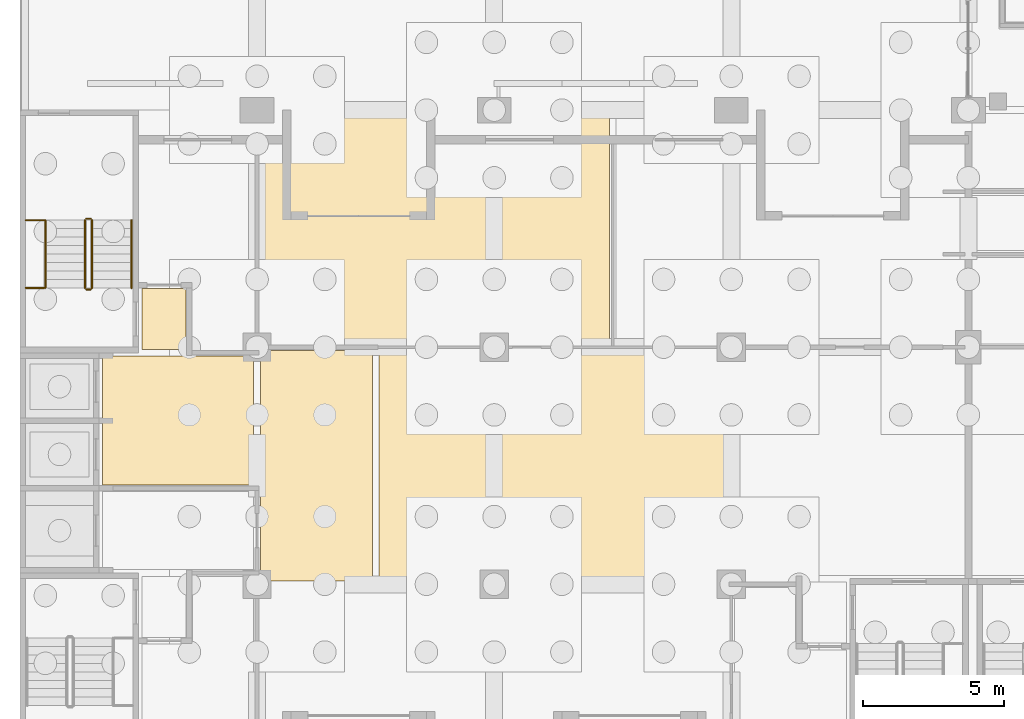
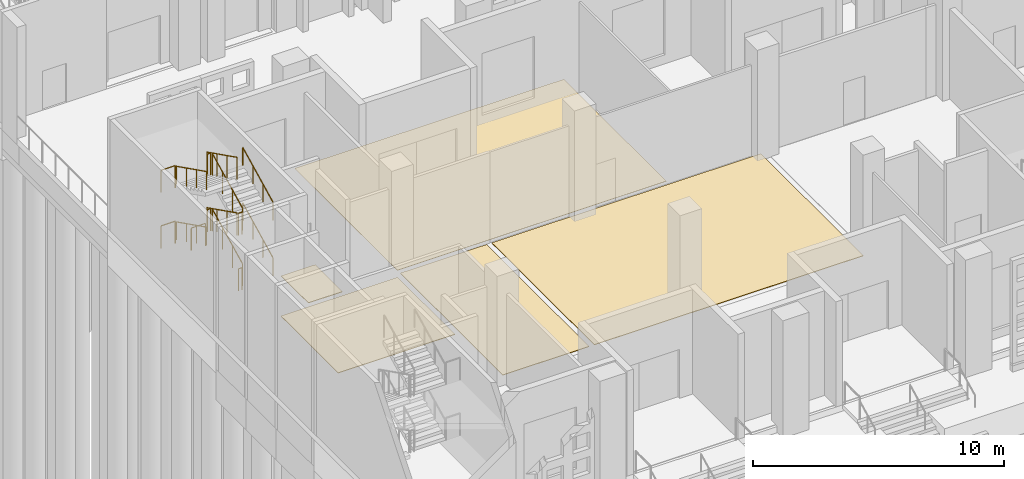
# One storey, part 103 of 129: 15 railings, 5 coverings.
"""IFC4 building model written with IfcOpenShell, lengths in metres."""

from ifc_helpers import new_model, si_unit, direction, frame, origin, origin_2d, place, context, subcontext, project, spatial, polyline, circle, outline, extrude, material, layer, layer_set, type_object, element, save


model = new_model("IFC4")

# Units and contexts
model_context = context("Model", 3, precision=1e-05, world=origin(), true_north=direction((0.0, 1.0)))
body_context = subcontext(model_context, "Body", "Model", "MODEL_VIEW")
ifc_project = project(units=[si_unit("LENGTHUNIT", "METRE"), si_unit("AREAUNIT", "SQUARE_METRE"), si_unit("VOLUMEUNIT", "CUBIC_METRE"), si_unit("PLANEANGLEUNIT", "RADIAN"), si_unit("MASSUNIT", "GRAM", prefix="KILO")], contexts=[model_context])

# Site, building, storey
site_placement = place(None, origin())
site = spatial("IfcSite", under=ifc_project, at=site_placement, CompositionType="ELEMENT")
building_placement = place(site_placement, origin())
building = spatial("IfcBuilding", under=site, at=building_placement, Name="Kiln Court Media Centre", CompositionType="ELEMENT")
storey_placement = place(building_placement, origin())
storey = spatial("IfcBuildingStorey", under=building, at=storey_placement, Name="L00", CompositionType="ELEMENT", Elevation=0.0)

# Coverings
ifc_material_1 = material(Name="Carpet tile")
ifc_layer_1 = layer(ifc_material_1, 0.014892578125)
ifc_layer_set_1 = layer_set([ifc_layer_1], Name="Carpet tile floor finish 15")
covering_type_1 = type_object("IfcCoveringType", Name="Carpet tile floor finish 15", PredefinedType="FLOORING", material=ifc_layer_set_1)
covering_1_placement = place(storey_placement, origin())
element("IfcCovering", 1, at=covering_1_placement, inside=storey, type_object=covering_type_1, Name="Community Media Room floor finish", PredefinedType="FLOORING", context=body_context, shape_type="SweptSolid", body=[
    extrude(outline(polyline([(8.52001953125, 16.919921875), (20.8798828125, 16.919921875), (20.8798828125, 25.080078125), (8.52001953125, 25.080078125), (8.52001953125, 16.919921875)])), origin(), (0.0, 0.0, 1.0), 0.014892578125),
])
ifc_material_2 = material(Name="Terrazzo")
ifc_layer_2 = layer(ifc_material_2, 0.02490234375)
ifc_layer_set_2 = layer_set([ifc_layer_2], Name="Polished terrazzo floor finish 25")
covering_type_2 = type_object("IfcCoveringType", Name="Polished terrazzo floor finish 25", PredefinedType="FLOORING", material=ifc_layer_set_2)
covering_2_placement = place(storey_placement, origin())
element("IfcCovering", 2, at=covering_2_placement, inside=storey, type_object=covering_type_2, Name="Library Reception floor finish", PredefinedType="FLOORING", context=body_context, shape_type="SweptSolid", body=[
    extrude(outline(polyline([(8.52001953125, 8.52001953125), (12.47998046875, 8.52001953125), (12.47998046875, 16.679931640625), (8.52001953125, 16.679931640625), (8.52001953125, 8.52001953125)])), origin(), (0.0, 0.0, 1.0), 0.02490234375),
])
covering_3_placement = place(storey_placement, origin())
element("IfcCovering", 3, at=covering_3_placement, inside=storey, type_object=covering_type_2, Name="Exhibition Hall floor finish", PredefinedType="FLOORING", context=body_context, shape_type="SweptSolid", body=[
    extrude(outline(polyline([(12.719970703125, 8.52001953125), (25.080078125, 8.52001953125), (25.080078125, 16.679931640625), (12.719970703125, 16.679931640625), (12.719970703125, 8.52001953125)])), origin(), (0.0, 0.0, 1.0), 0.02490234375),
])
covering_4_placement = place(storey_placement, origin())
element("IfcCovering", 4, at=covering_4_placement, inside=storey, type_object=covering_type_2, Name="Passenger Lift Lobby floor finish", PredefinedType="FLOORING", context=body_context, shape_type="SweptSolid", body=[
    extrude(outline(polyline([(2.919921875, 11.919921875), (8.280029296875, 11.919921875), (8.280029296875, 16.47998046875), (2.919921875, 16.47998046875), (2.919921875, 11.919921875)])), origin(), (0.0, 0.0, 1.0), 0.02490234375),
])
covering_5_placement = place(storey_placement, origin())
element("IfcCovering", 5, at=covering_5_placement, inside=storey, type_object=covering_type_2, Name="Stair 2 Vestibule floor finish", PredefinedType="FLOORING", context=body_context, shape_type="SweptSolid", body=[
    extrude(outline(polyline([(4.320068359375, 16.719970703125), (5.8798828125, 16.719970703125), (5.8798828125, 18.8798828125), (4.320068359375, 18.8798828125), (4.320068359375, 16.719970703125)])), origin(), (0.0, 0.0, 1.0), 0.02490234375),
])

# Railings
ifc_material_3 = material(Name="Steel S275", Category="steel")
railing_type_1 = type_object("IfcRailingType", Name="Steel S275 stair guard 1100", PredefinedType="GUARDRAIL", material=ifc_material_3)
railing_1_placement = place(storey_placement, frame((2.550048828125, 18.89990234375, 0.14990234375)))
element("IfcRailing", 6, at=railing_1_placement, inside=storey, type_object=railing_type_1, Name="ST-02 stair guard", PredefinedType="GUARDRAIL", context=body_context, shape_type="SweptSolid", body=[
    extrude(circle(Radius=0.02392578125, at=origin_2d()), frame((0.0, 0.0, 1.076171875), z_axis=(0.0, 0.894408994573, 0.447249986504), x_axis=(-1.0, 0.0, 0.0)), (0.0, 0.0, 1.0), 2.68359375),
    extrude(circle(Radius=0.02099609375, at=origin_2d()), origin(), (0.0, 0.0, 1.0), 1.052001953125),
    extrude(circle(Radius=0.02099609375, at=origin_2d()), frame((0.0, 0.800048828125, 0.400146484375)), (0.0, 0.0, 1.0), 1.052001953125),
    extrude(circle(Radius=0.02099609375, at=origin_2d()), frame((0.0, 1.60009765625, 0.800048828125)), (0.0, 0.0, 1.0), 1.052001953125),
    extrude(circle(Radius=0.02099609375, at=origin_2d()), frame((0.0, 2.400146484375, 1.2001953125)), (0.0, 0.0, 1.0), 1.052001953125),
])
railing_2_placement = place(storey_placement, frame((2.5, 21.35009765625, 1.35009765625)))
element("IfcRailing", 7, at=railing_2_placement, inside=storey, type_object=railing_type_1, Name="ST-02 stair guard", PredefinedType="GUARDRAIL", context=body_context, shape_type="SweptSolid", body=[
    extrude(circle(Radius=0.02392578125, at=origin_2d()), frame((0.0, 0.0, 1.076171875), z_axis=(-1.0, 0.0, 0.0), x_axis=(0.0, -1.0, 0.0)), (0.0, 0.0, 1.0), 0.14990234375),
    extrude(circle(Radius=0.02099609375, at=origin_2d()), origin(), (0.0, 0.0, 1.0), 1.052001953125),
    extrude(circle(Radius=0.02099609375, at=origin_2d()), frame((-0.14990234375, 0.0, 0.0)), (0.0, 0.0, 1.0), 1.052001953125),
])
railing_3_placement = place(storey_placement, frame((2.300048828125, 21.300048828125, 1.5)))
element("IfcRailing", 8, at=railing_3_placement, inside=storey, type_object=railing_type_1, Name="ST-02 stair guard", PredefinedType="GUARDRAIL", context=body_context, shape_type="SweptSolid", body=[
    extrude(circle(Radius=0.02392578125, at=origin_2d()), frame((0.0, 0.0, 1.076171875), z_axis=(0.0, -0.894445386687, 0.447177202275), x_axis=(1.0, 0.0, 0.0)), (0.0, 0.0, 1.0), 2.683349609375),
    extrude(circle(Radius=0.02099609375, at=origin_2d()), origin(), (0.0, 0.0, 1.0), 1.052001953125),
    extrude(circle(Radius=0.02099609375, at=origin_2d()), frame((0.0, -0.800048828125, 0.39990234375)), (0.0, 0.0, 1.0), 1.052001953125),
    extrude(circle(Radius=0.02099609375, at=origin_2d()), frame((0.0, -1.60009765625, 0.800048828125)), (0.0, 0.0, 1.0), 1.052001953125),
    extrude(circle(Radius=0.02099609375, at=origin_2d()), frame((0.0, -2.400146484375, 1.199951171875)), (0.0, 0.0, 1.0), 1.052001953125),
])
railing_4_placement = place(storey_placement, frame((2.5, 18.85009765625, 2.699951171875)))
element("IfcRailing", 9, at=railing_4_placement, inside=storey, type_object=railing_type_1, Name="ST-02 stair guard", PredefinedType="GUARDRAIL", context=body_context, shape_type="SweptSolid", body=[
    extrude(circle(Radius=0.02392578125, at=origin_2d()), frame((0.0, 0.0, 1.076171875), z_axis=(-1.0, 0.0, 0.0), x_axis=(0.0, -1.0, 0.0)), (0.0, 0.0, 1.0), 0.14990234375),
    extrude(circle(Radius=0.02099609375, at=origin_2d()), origin(), (0.0, 0.0, 1.0), 1.052001953125),
    extrude(circle(Radius=0.02099609375, at=origin_2d()), frame((-0.14990234375, 0.0, 0.0)), (0.0, 0.0, 1.0), 1.052001953125),
])
railing_5_placement = place(storey_placement, frame((2.550048828125, 18.89990234375, 2.85009765625)))
element("IfcRailing", 10, at=railing_5_placement, inside=storey, type_object=railing_type_1, Name="ST-02 stair guard", PredefinedType="GUARDRAIL", context=body_context, shape_type="SweptSolid", body=[
    extrude(circle(Radius=0.02392578125, at=origin_2d()), frame((0.0, 0.0, 1.076171875), z_axis=(0.0, 0.894445386687, 0.447177202275), x_axis=(-1.0, 0.0, 0.0)), (0.0, 0.0, 1.0), 2.683349609375),
    extrude(circle(Radius=0.02099609375, at=origin_2d()), origin(), (0.0, 0.0, 1.0), 1.052001953125),
    extrude(circle(Radius=0.02099609375, at=origin_2d()), frame((0.0, 0.800048828125, 0.39990234375)), (0.0, 0.0, 1.0), 1.052001953125),
    extrude(circle(Radius=0.02099609375, at=origin_2d()), frame((0.0, 1.60009765625, 0.800048828125)), (0.0, 0.0, 1.0), 1.052001953125),
    extrude(circle(Radius=0.02099609375, at=origin_2d()), frame((0.0, 2.400146484375, 1.199951171875)), (0.0, 0.0, 1.0), 1.052001953125),
])
railing_6_placement = place(storey_placement, frame((2.5, 21.35009765625, 4.050048828125)))
element("IfcRailing", 11, at=railing_6_placement, inside=storey, type_object=railing_type_1, Name="ST-02 stair guard", PredefinedType="GUARDRAIL", context=body_context, shape_type="SweptSolid", body=[
    extrude(circle(Radius=0.02392578125, at=origin_2d()), frame((0.0, 0.0, 1.076171875), z_axis=(-1.0, 0.0, 0.0), x_axis=(0.0, -1.0, 0.0)), (0.0, 0.0, 1.0), 0.14990234375),
    extrude(circle(Radius=0.02099609375, at=origin_2d()), origin(), (0.0, 0.0, 1.0), 1.052001953125),
    extrude(circle(Radius=0.02099609375, at=origin_2d()), frame((-0.14990234375, 0.0, 0.0)), (0.0, 0.0, 1.0), 1.052001953125),
])
railing_7_placement = place(storey_placement, frame((2.300048828125, 21.300048828125, 4.199951171875)))
element("IfcRailing", 12, at=railing_7_placement, inside=storey, type_object=railing_type_1, Name="ST-02 stair guard", PredefinedType="GUARDRAIL", context=body_context, shape_type="SweptSolid", body=[
    extrude(circle(Radius=0.02392578125, at=origin_2d()), frame((0.0, 0.0, 1.076171875), z_axis=(0.0, -0.894445386687, 0.447177202275), x_axis=(1.0, 0.0, 0.0)), (0.0, 0.0, 1.0), 2.683349609375),
    extrude(circle(Radius=0.02099609375, at=origin_2d()), origin(), (0.0, 0.0, 1.0), 1.052001953125),
    extrude(circle(Radius=0.02099609375, at=origin_2d()), frame((0.0, -0.800048828125, 0.39990234375)), (0.0, 0.0, 1.0), 1.052001953125),
    extrude(circle(Radius=0.02099609375, at=origin_2d()), frame((0.0, -1.60009765625, 0.800048828125)), (0.0, 0.0, 1.0), 1.052001953125),
    extrude(circle(Radius=0.02099609375, at=origin_2d()), frame((0.0, -2.400146484375, 1.199951171875)), (0.0, 0.0, 1.0), 1.052001953125),
])
railing_8_placement = place(storey_placement, frame((2.5, 18.85009765625, 0.0)))
element("IfcRailing", 13, at=railing_8_placement, inside=storey, type_object=railing_type_1, Name="ST-02 stair guard", PredefinedType="GUARDRAIL", context=body_context, shape_type="SweptSolid", body=[
    extrude(circle(Radius=0.02392578125, at=origin_2d()), frame((0.0, 0.0, 1.076171875), z_axis=(-1.0, 0.0, 0.0), x_axis=(0.0, -1.0, 0.0)), (0.0, 0.0, 1.0), 0.14990234375),
    extrude(circle(Radius=0.02099609375, at=origin_2d()), origin(), (0.0, 0.0, 1.0), 1.052001953125),
    extrude(circle(Radius=0.02099609375, at=origin_2d()), frame((-0.14990234375, 0.0, 0.0)), (0.0, 0.0, 1.0), 1.052001953125),
])
for number, where, name in (
    (14, (0.85009765625, 21.300048828125, 1.35009765625), "ST-02 landing edge guard"),
    (15, (0.85009765625, 18.89990234375, 2.699951171875), "ST-02 landing edge guard"),
    (16, (0.85009765625, 21.300048828125, 4.050048828125), "ST-02 landing edge guard"),
):
    element("IfcRailing", number, at=place(storey_placement, frame(where)), inside=storey, type_object=railing_type_1, Name=name, PredefinedType="GUARDRAIL", context=body_context, shape_type="SweptSolid", body=[
        extrude(circle(Radius=0.02392578125, at=origin_2d()), frame((0.0, 0.0, 1.076171875), z_axis=(-1.0, 0.0, 0.0), x_axis=(0.0, -1.0, 0.0)), (0.0, 0.0, 1.0), 0.650146484375),
        extrude(circle(Radius=0.02099609375, at=origin_2d()), origin(), (0.0, 0.0, 1.0), 1.052001953125),
        extrude(circle(Radius=0.02099609375, at=origin_2d()), frame((-0.650146484375, 0.0, 0.0)), (0.0, 0.0, 1.0), 1.052001953125),
    ])
ifc_material_4 = material(Name="Steel S275", Category="steel")
railing_type_2 = type_object("IfcRailingType", Name="Steel S275 stair handrail 900", PredefinedType="HANDRAIL", material=ifc_material_4)
railing_9_placement = place(storey_placement, frame((3.949951171875, 18.89990234375, 0.14990234375)))
element("IfcRailing", 17, at=railing_9_placement, inside=storey, type_object=railing_type_2, Name="ST-02 stair handrail", PredefinedType="HANDRAIL", context=body_context, shape_type="SweptSolid", body=[
    extrude(circle(Radius=0.02392578125, at=origin_2d()), frame((0.0, 0.0, 0.8759765625), z_axis=(0.0, 0.894408994573, 0.447249986504), x_axis=(-1.0, 0.0, 0.0)), (0.0, 0.0, 1.0), 2.68359375),
    extrude(circle(Radius=0.02099609375, at=origin_2d()), origin(), (0.0, 0.0, 1.0), 0.851806640625),
    extrude(circle(Radius=0.02099609375, at=origin_2d()), frame((0.0, 0.800048828125, 0.400146484375)), (0.0, 0.0, 1.0), 0.851806640625),
    extrude(circle(Radius=0.02099609375, at=origin_2d()), frame((0.0, 1.60009765625, 0.800048828125)), (0.0, 0.0, 1.0), 0.851806640625),
    extrude(circle(Radius=0.02099609375, at=origin_2d()), frame((0.0, 2.400146484375, 1.2001953125)), (0.0, 0.0, 1.0), 0.851806640625),
])
railing_10_placement = place(storey_placement, frame((0.89990234375, 21.300048828125, 1.5)))
element("IfcRailing", 18, at=railing_10_placement, inside=storey, type_object=railing_type_2, Name="ST-02 stair handrail", PredefinedType="HANDRAIL", context=body_context, shape_type="SweptSolid", body=[
    extrude(circle(Radius=0.02392578125, at=origin_2d()), frame((0.0, 0.0, 0.8759765625), z_axis=(0.0, -0.894445386687, 0.447177202275), x_axis=(1.0, 0.0, 0.0)), (0.0, 0.0, 1.0), 2.683349609375),
    extrude(circle(Radius=0.02099609375, at=origin_2d()), origin(), (0.0, 0.0, 1.0), 0.851806640625),
    extrude(circle(Radius=0.02099609375, at=origin_2d()), frame((0.0, -0.800048828125, 0.39990234375)), (0.0, 0.0, 1.0), 0.851806640625),
    extrude(circle(Radius=0.02099609375, at=origin_2d()), frame((0.0, -1.60009765625, 0.800048828125)), (0.0, 0.0, 1.0), 0.851806640625),
    extrude(circle(Radius=0.02099609375, at=origin_2d()), frame((0.0, -2.400146484375, 1.199951171875)), (0.0, 0.0, 1.0), 0.851806640625),
])
railing_11_placement = place(storey_placement, frame((3.949951171875, 18.89990234375, 2.85009765625)))
element("IfcRailing", 19, at=railing_11_placement, inside=storey, type_object=railing_type_2, Name="ST-02 stair handrail", PredefinedType="HANDRAIL", context=body_context, shape_type="SweptSolid", body=[
    extrude(circle(Radius=0.02392578125, at=origin_2d()), frame((0.0, 0.0, 0.8759765625), z_axis=(0.0, 0.894445386687, 0.447177202275), x_axis=(-1.0, 0.0, 0.0)), (0.0, 0.0, 1.0), 2.683349609375),
    extrude(circle(Radius=0.02099609375, at=origin_2d()), origin(), (0.0, 0.0, 1.0), 0.851806640625),
    extrude(circle(Radius=0.02099609375, at=origin_2d()), frame((0.0, 0.800048828125, 0.39990234375)), (0.0, 0.0, 1.0), 0.851806640625),
    extrude(circle(Radius=0.02099609375, at=origin_2d()), frame((0.0, 1.60009765625, 0.800048828125)), (0.0, 0.0, 1.0), 0.851806640625),
    extrude(circle(Radius=0.02099609375, at=origin_2d()), frame((0.0, 2.400146484375, 1.199951171875)), (0.0, 0.0, 1.0), 0.851806640625),
])
railing_12_placement = place(storey_placement, frame((0.89990234375, 21.300048828125, 4.199951171875)))
element("IfcRailing", 20, at=railing_12_placement, inside=storey, type_object=railing_type_2, Name="ST-02 stair handrail", PredefinedType="HANDRAIL", context=body_context, shape_type="SweptSolid", body=[
    extrude(circle(Radius=0.02392578125, at=origin_2d()), frame((0.0, 0.0, 0.8759765625), z_axis=(0.0, -0.894445386687, 0.447177202275), x_axis=(1.0, 0.0, 0.0)), (0.0, 0.0, 1.0), 2.683349609375),
    extrude(circle(Radius=0.02099609375, at=origin_2d()), origin(), (0.0, 0.0, 1.0), 0.851806640625),
    extrude(circle(Radius=0.02099609375, at=origin_2d()), frame((0.0, -0.800048828125, 0.39990234375)), (0.0, 0.0, 1.0), 0.851806640625),
    extrude(circle(Radius=0.02099609375, at=origin_2d()), frame((0.0, -1.60009765625, 0.800048828125)), (0.0, 0.0, 1.0), 0.851806640625),
    extrude(circle(Radius=0.02099609375, at=origin_2d()), frame((0.0, -2.400146484375, 1.199951171875)), (0.0, 0.0, 1.0), 0.851806640625),
])

save(model, "model.ifc")
